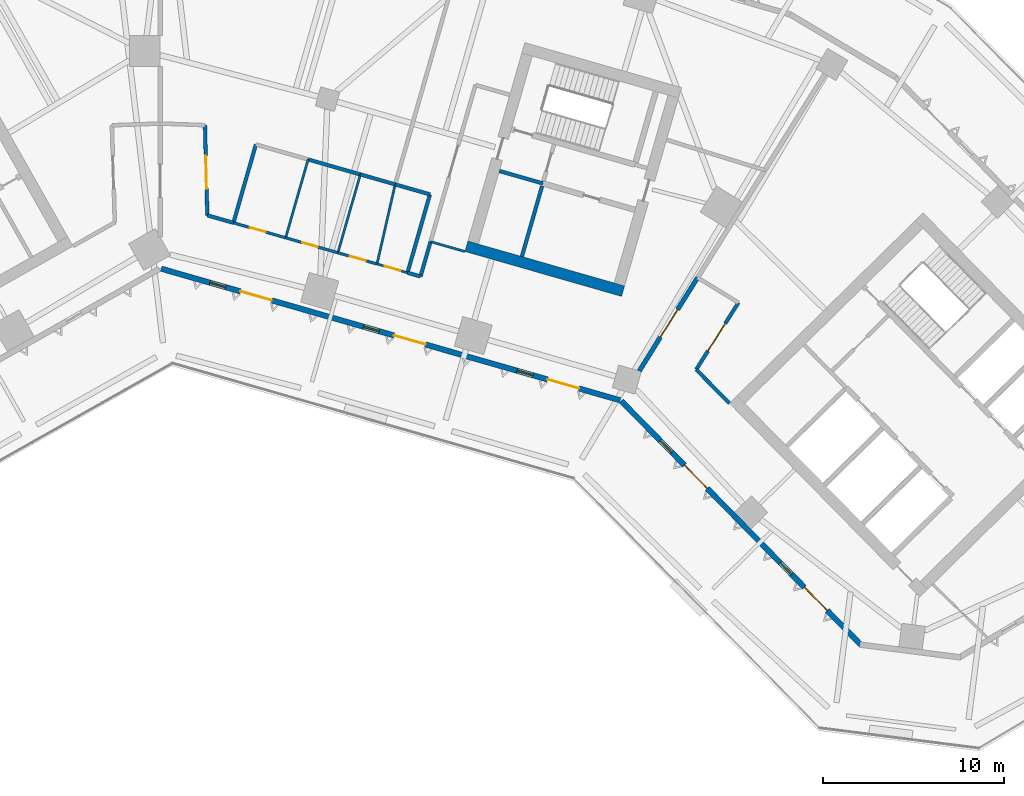
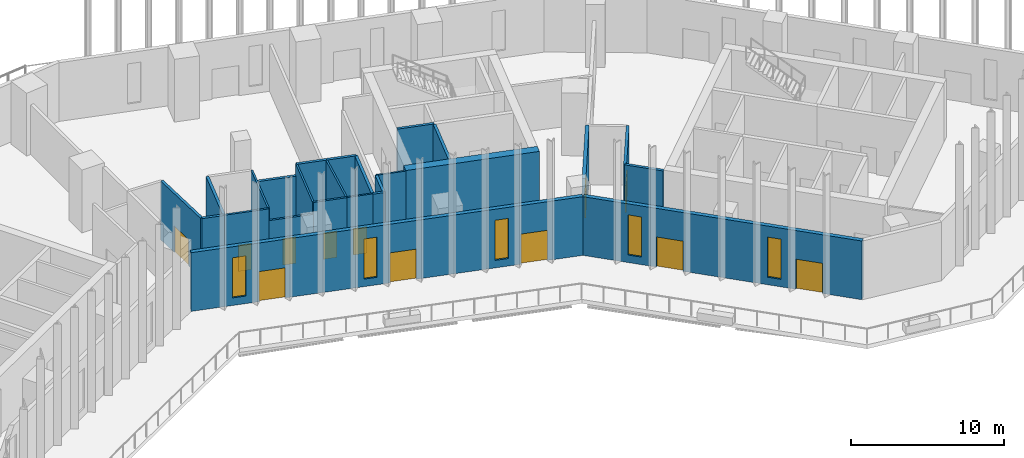
# One storey, part 8 of 17: 25 walls, 12 doors, 5 windows, 17 openings.
"""IFC4 building model written with IfcOpenShell, lengths in metres."""

import ifcopenshell
import ifcopenshell.guid

model = None  # the IFC model being written
_history = None  # IfcOwnerHistory: only IFC2X3 demands one
_inside = {}  # id of a spatial element -> (the spatial element, [elements in it])
_under = {}  # id of a project, library or spatial element -> (it, [spatial elements below it])
_declared = {}  # id of a project -> (the project, [libraries it declares])
_typed = {}  # id of a type object -> (the type object, [elements of that type])
_made_of = {}  # id of a material, layer set ... -> (it, [elements and type objects made of it])


def new_model(schema):
    """Start an empty IFC model of exactly this schema.

    Asked for "IFC4X3", IfcOpenShell would pick the latest addendum, in which some entities
    have other attributes; the version numbers below select the first issue.
    IFC2X3 requires an IfcOwnerHistory on every rooted entity: one is made here for all.
    """
    global model, _history
    if schema == "IFC4X3":
        model = ifcopenshell.file(schema_version=(4, 3, 0, 0))
    else:
        model = ifcopenshell.file(schema=schema)
    _inside.clear()
    _under.clear()
    _declared.clear()
    _typed.clear()
    _made_of.clear()
    _history = None
    if model.schema == "IFC2X3":
        org = make("IfcOrganization", Name="unknown")
        user = make(
            "IfcPersonAndOrganization",
            ThePerson=make("IfcPerson", FamilyName="unknown"),
            TheOrganization=org,
        )
        app = make(
            "IfcApplication",
            ApplicationDeveloper=org,
            Version="unknown",
            ApplicationFullName="unknown",
            ApplicationIdentifier="unknown",
        )
        _history = make(
            "IfcOwnerHistory",
            OwningUser=user,
            OwningApplication=app,
            ChangeAction="ADDED",
            CreationDate=0,
        )
    return model


def make(cls, **values):
    """One entity of the class cls with the attributes given. An attribute that is None is left unset."""
    return model.create_entity(
        cls, **{name: value for name, value in values.items() if value is not None}
    )


def rooted(cls, **values):
    """An entity with a GlobalId (a new one), such as an element, a storey or a relation."""
    return make(cls, GlobalId=ifcopenshell.guid.new(), OwnerHistory=_history, **values)


def si_unit(unit_type, name, prefix=None):
    """IfcSIUnit, for example si_unit("LENGTHUNIT", "METRE", prefix="MILLI")."""
    return make("IfcSIUnit", UnitType=unit_type, Prefix=prefix, Name=name)


def assignment(units):
    """IfcUnitAssignment: the units of a project."""
    return None if units is None else make("IfcUnitAssignment", Units=units)


def point(xyz):
    """IfcCartesianPoint."""
    return None if xyz is None else make("IfcCartesianPoint", Coordinates=xyz)


def direction(xyz):
    """IfcDirection."""
    return None if xyz is None else make("IfcDirection", DirectionRatios=xyz)


def frame(location, z_axis=None, x_axis=None):
    """IfcAxis2Placement3D, a coordinate frame: its origin and axes. An axis left out is left unset."""
    return make(
        "IfcAxis2Placement3D",
        Location=point(location),
        Axis=direction(z_axis),
        RefDirection=direction(x_axis),
    )


def frame_2d(location, x_axis=None):
    """IfcAxis2Placement2D, a coordinate frame in the plane: its origin and x axis."""
    return make(
        "IfcAxis2Placement2D", Location=point(location), RefDirection=direction(x_axis)
    )


def origin():
    """The frame at (0, 0, 0) with its axes left unset."""
    return frame((0.0, 0.0, 0.0))


def place(relative_to, where):
    """IfcLocalPlacement: puts the frame where relative to a parent placement (None: the world)."""
    return make(
        "IfcLocalPlacement", PlacementRelTo=relative_to, RelativePlacement=where
    )


def context(
    kind, dimensions, precision=None, world=None, true_north=None, identifier=None
):
    """IfcGeometricRepresentationContext, for example the 3D "Model" context."""
    return make(
        "IfcGeometricRepresentationContext",
        ContextIdentifier=identifier,
        ContextType=kind,
        CoordinateSpaceDimension=dimensions,
        Precision=precision,
        WorldCoordinateSystem=world,
        TrueNorth=true_north,
    )


def subcontext(parent, identifier, kind, view, scale=None):
    """IfcGeometricRepresentationSubContext, for example "Body" below "Model"."""
    return make(
        "IfcGeometricRepresentationSubContext",
        ContextIdentifier=identifier,
        ContextType=kind,
        ParentContext=parent,
        TargetScale=scale,
        TargetView=view,
    )


def project(units=None, contexts=None):
    """IfcProject with its units and contexts."""
    return rooted(
        "IfcProject",
        Name="project",
        RepresentationContexts=contexts,
        UnitsInContext=assignment(units),
    )


def spatial(cls, under=None, at=None, **own):
    """A site, building, storey or space (cls), placed at a placement, below another one or the project."""
    s = rooted(cls, ObjectPlacement=at, **own)
    if under is not None:
        _under.setdefault(under.id(), (under, []))[1].append(s)
    return s


def profile(cls, at=None, kind="AREA", **sizes):
    """A parametric profile (cls). Its sizes go by their IFC names, for example OverallWidth=200.0."""
    return make(cls, ProfileType=kind, Position=at, **sizes)


def rectangle(**sizes):
    """IfcRectangleProfileDef."""
    return profile("IfcRectangleProfileDef", **sizes)


def extrude(swept, where, along, depth):
    """IfcExtrudedAreaSolid: the profile swept, set in the frame where, extruded along a direction by depth."""
    return make(
        "IfcExtrudedAreaSolid",
        SweptArea=swept,
        Position=where,
        ExtrudedDirection=direction(along),
        Depth=depth,
    )


def shape(context_of_items, identifier, shape_type, items):
    """IfcShapeRepresentation: the items that make up one representation, for example the "Body"."""
    return make(
        "IfcShapeRepresentation",
        ContextOfItems=context_of_items,
        RepresentationIdentifier=identifier,
        RepresentationType=shape_type,
        Items=items,
    )


def material(Name=None, Category=None):
    """IfcMaterial."""
    return make("IfcMaterial", Name=Name, Category=Category)


def layer(
    of_material, thickness, ventilated=None, Name=None, Category=None, Priority=None
):
    """IfcMaterialLayer: one layer of a wall or slab, of a material (None: an air gap)."""
    return make(
        "IfcMaterialLayer",
        Material=of_material,
        LayerThickness=thickness,
        IsVentilated=ventilated,
        Name=Name,
        Category=Category,
        Priority=Priority,
    )


def layer_set(layers, Name=None):
    """IfcMaterialLayerSet."""
    return make("IfcMaterialLayerSet", MaterialLayers=layers, LayerSetName=Name)


def made_of(thing, what):
    """Note that an element or type object is made of a material, layer set ...; save() writes the relation."""
    if what is not None:
        _made_of.setdefault(what.id(), (what, []))[1].append(thing)
    return thing


def type_object(cls, material=None, **own):
    """A type object (cls), such as IfcWallType, which elements share."""
    return made_of(rooted(cls, **own), material)


def element(
    cls,
    number,
    at=None,
    inside=None,
    cuts=None,
    type_object=None,
    material=None,
    context=None,
    identifier="Body",
    shape_type=None,
    held_by="IfcProductDefinitionShape",
    body=None,
    shapes=None,
    **own,
):
    """One element of the class cls, such as IfcWall. Its Tag is "e" and its number.

    at: its placement. inside: the storey or other place that contains it. cuts: it is an
    opening in that element (IfcRelVoidsElement). A single representation is given by context,
    identifier, shape_type and body (its items); several are given by shapes. held_by: the class
    of the entity that holds the representations. save() writes the other relations.
    """
    e = rooted(cls, Tag="e%d" % number, ObjectPlacement=at, **own)
    if body is not None:
        shapes = [shape(context, identifier, shape_type, body)]
    if shapes is not None:
        e.Representation = make(held_by, Representations=shapes)
    if inside is not None:
        _inside.setdefault(inside.id(), (inside, []))[1].append(e)
    if cuts is not None:
        rooted(
            "IfcRelVoidsElement", RelatingBuildingElement=cuts, RelatedOpeningElement=e
        )
    if type_object is not None:
        _typed.setdefault(type_object.id(), (type_object, []))[1].append(e)
    return made_of(e, material)


def fill(opening, filler):
    """IfcRelFillsElement: the door or window that sits in an opening."""
    return rooted(
        "IfcRelFillsElement",
        RelatingOpeningElement=opening,
        RelatedBuildingElement=filler,
    )


def aggregate(whole, parts):
    """IfcRelAggregates: a whole, such as a stair, and the parts it consists of."""
    return rooted("IfcRelAggregates", RelatingObject=whole, RelatedObjects=parts)


def save(model, path):
    """Write the relations noted so far, then the file.

    IfcRelAggregates (storeys below a building ...), IfcRelContainedInSpatialStructure (elements
    in a storey), IfcRelDefinesByType, IfcRelAssociatesMaterial and IfcRelDeclares: one each for
    every whole, place, type object, material and project.
    """
    for whole, parts in _under.values():
        aggregate(whole, parts)
    for where, things in _inside.values():
        rooted(
            "IfcRelContainedInSpatialStructure",
            RelatedElements=things,
            RelatingStructure=where,
        )
    for kind, things in _typed.values():
        rooted("IfcRelDefinesByType", RelatedObjects=things, RelatingType=kind)
    for what, things in _made_of.values():
        rooted("IfcRelAssociatesMaterial", RelatedObjects=things, RelatingMaterial=what)
    for by, libraries in _declared.values():
        rooted("IfcRelDeclares", RelatingContext=by, RelatedDefinitions=libraries)
    model.write(path)


model = new_model("IFC4")

# Units and contexts
model_context = context("Model", 3, precision=1e-05, world=origin(), true_north=direction((0.0, 1.0)))
body_context = subcontext(model_context, "Body", "Model", "MODEL_VIEW")
ifc_project = project(units=[si_unit("LENGTHUNIT", "METRE"), si_unit("AREAUNIT", "SQUARE_METRE"), si_unit("VOLUMEUNIT", "CUBIC_METRE"), si_unit("PLANEANGLEUNIT", "RADIAN"), si_unit("MASSUNIT", "GRAM", prefix="KILO")], contexts=[model_context])

# Site, building, storey
site_placement = place(None, origin())
site = spatial("IfcSite", under=ifc_project, at=site_placement, CompositionType="ELEMENT")
building_placement = place(site_placement, origin())
building = spatial("IfcBuilding", under=site, at=building_placement, Name="Binnacle Exchange Tower", CompositionType="ELEMENT")
storey_placement = place(building_placement, frame((0.0, 0.0, 26.5)))
storey = spatial("IfcBuildingStorey", under=building, at=storey_placement, Name="L05", CompositionType="ELEMENT", Elevation=26.5)

# Wall
ifc_material_1 = material(Name="Concrete C70/85", Category="concrete")
ifc_layer_1 = layer(ifc_material_1, 0.60009765625)
ifc_layer_set_1 = layer_set([ifc_layer_1], Name="Core wall - outer 600")
wall_type_1 = type_object("IfcWallType", Name="Core wall - outer 600", PredefinedType="SOLIDWALL", material=ifc_layer_set_1)
wall_1_placement = place(storey_placement, frame((16.91064453125, 49.22119140625, 0.0), z_axis=(0.0, 0.0, 1.0), x_axis=(0.96126248289, -0.275634611374, 0.0)))
element("IfcWall", 1, at=wall_1_placement, inside=storey, type_object=wall_type_1, Name="Core wall CRWD1", PredefinedType="SOLIDWALL", context=body_context, shape_type="SweptSolid", body=[
    extrude(rectangle(XDim=9.0, YDim=0.60009765625, at=frame_2d((4.5, 0.0))), origin(), (0.0, 0.0, 1.0), 4.679931640625),
])

# Wall, openings, doors, windows
ifc_material_2 = material(Name="Bronze aluminium cladding", Category="aluminium")
ifc_layer_2 = layer(ifc_material_2, 0.300048828125)
ifc_layer_set_2 = layer_set([ifc_layer_2], Name="External wall - spandrel 300")
wall_type_2 = type_object("IfcWallType", Name="External wall - spandrel 300", PredefinedType="STANDARD", material=ifc_layer_set_2)
wall_2_placement = place(storey_placement, frame((25.398193359375, 40.71728515625, 0.0), z_axis=(0.0, 0.0, 1.0), x_axis=(-0.961262423262, 0.275634819324, 0.0)))
wall_2 = element("IfcWall", 2, at=wall_2_placement, inside=storey, type_object=wall_type_2, Name="External wall EW-F08 L05", PredefinedType="STANDARD", context=body_context, shape_type="SweptSolid", body=[
    extrude(rectangle(XDim=26.358642578125, YDim=0.300048828125, at=frame_2d((13.17919921875, 0.0))), origin(), (0.0, 0.0, 1.0), 4.679931640625),
])
opening_1_placement = place(wall_2_placement, frame((22.6640625, 0.0, 0.60009765625)))
opening_1 = element("IfcOpeningElement", 3, at=opening_1_placement, cuts=wall_2, Name="Opening WS1", PredefinedType="OPENING", context=body_context, shape_type="SweptSolid", body=[
    extrude(rectangle(XDim=0.89990234375, YDim=3.199951171875, at=frame_2d((0.449951171875, 1.60009765625))), frame((0.0, 0.159912109375, 0.0), z_axis=(0.0, -1.0, 0.0), x_axis=(1.0, 0.0, 0.0)), (0.0, 0.0, 1.0), 0.320068359375),
])
opening_2_placement = place(wall_2_placement, frame((20.0087890625, 0.0, 0.0)))
opening_2 = element("IfcOpeningElement", 4, at=opening_2_placement, cuts=wall_2, Name="Opening D-FS05-09", PredefinedType="OPENING", context=body_context, shape_type="SweptSolid", body=[
    extrude(rectangle(XDim=1.800048828125, YDim=2.39990234375, at=frame_2d((0.89990234375, 1.199951171875))), frame((0.0, 0.159912109375, 0.0), z_axis=(0.0, -1.0, 0.0), x_axis=(1.0, 0.0, 0.0)), (0.0, 0.0, 1.0), 0.320068359375),
])
opening_3_placement = place(wall_2_placement, frame((13.843505859375, 0.0, 0.60009765625)))
opening_3 = element("IfcOpeningElement", 5, at=opening_3_placement, cuts=wall_2, Name="Opening WS1", PredefinedType="OPENING", context=body_context, shape_type="SweptSolid", body=[
    extrude(rectangle(XDim=0.89990234375, YDim=3.199951171875, at=frame_2d((0.449951171875, 1.60009765625))), frame((0.0, 0.159912109375, 0.0), z_axis=(0.0, -1.0, 0.0), x_axis=(1.0, 0.0, 0.0)), (0.0, 0.0, 1.0), 0.320068359375),
])
opening_4_placement = place(wall_2_placement, frame((11.1884765625, 0.0, 0.0)))
opening_4 = element("IfcOpeningElement", 6, at=opening_4_placement, cuts=wall_2, Name="Opening D-FS05-10", PredefinedType="OPENING", context=body_context, shape_type="SweptSolid", body=[
    extrude(rectangle(XDim=1.800048828125, YDim=2.39990234375, at=frame_2d((0.89990234375, 1.199951171875))), frame((0.0, 0.159912109375, 0.0), z_axis=(0.0, -1.0, 0.0), x_axis=(1.0, 0.0, 0.0)), (0.0, 0.0, 1.0), 0.320068359375),
])
opening_5_placement = place(wall_2_placement, frame((5.023193359375, 0.0, 0.60009765625)))
opening_5 = element("IfcOpeningElement", 7, at=opening_5_placement, cuts=wall_2, Name="Opening WS1", PredefinedType="OPENING", context=body_context, shape_type="SweptSolid", body=[
    extrude(rectangle(XDim=0.89990234375, YDim=3.199951171875, at=frame_2d((0.449951171875, 1.60009765625))), frame((0.0, 0.159912109375, 0.0), z_axis=(0.0, -1.0, 0.0), x_axis=(1.0, 0.0, 0.0)), (0.0, 0.0, 1.0), 0.320068359375),
])
opening_6_placement = place(wall_2_placement, frame((2.3681640625, 0.0, 0.0)))
opening_6 = element("IfcOpeningElement", 8, at=opening_6_placement, cuts=wall_2, Name="Opening D-FS05-11", PredefinedType="OPENING", context=body_context, shape_type="SweptSolid", body=[
    extrude(rectangle(XDim=1.800048828125, YDim=2.39990234375, at=frame_2d((0.89990234375, 1.199951171875))), frame((0.0, 0.159912109375, 0.0), z_axis=(0.0, -1.0, 0.0), x_axis=(1.0, 0.0, 0.0)), (0.0, 0.0, 1.0), 0.320068359375),
])
ifc_material_3 = material(Name="Bronze anodised aluminium frame", Category="aluminium")
door_type_1 = type_object("IfcDoorType", Name="DT DOOR 1800x2400", OperationType="DOUBLE_DOOR_SINGLE_SWING", PredefinedType="DOOR", material=ifc_material_3)
door_1_placement = place(opening_2_placement, origin())
door_1 = element("IfcDoor", 9, at=door_1_placement, inside=storey, type_object=door_type_1, Name="Door D-FS05-09 L05", OperationType="DOUBLE_DOOR_SINGLE_SWING", OverallHeight=2.39990234375, OverallWidth=1.800048828125, PredefinedType="DOOR", context=body_context, shape_type="SweptSolid", body=[
    extrude(rectangle(XDim=1.800048828125, YDim=2.39990234375, at=frame_2d((0.89990234375, 1.199951171875))), frame((0.0, 0.02490234375, 0.0), z_axis=(0.0, -1.0, 0.0), x_axis=(1.0, 0.0, 0.0)), (0.0, 0.0, 1.0), 0.050048828125),
])
fill(opening_2, door_1)
door_2_placement = place(opening_4_placement, origin())
door_2 = element("IfcDoor", 10, at=door_2_placement, inside=storey, type_object=door_type_1, Name="Door D-FS05-10 L05", OperationType="DOUBLE_DOOR_SINGLE_SWING", OverallHeight=2.39990234375, OverallWidth=1.800048828125, PredefinedType="DOOR", context=body_context, shape_type="SweptSolid", body=[
    extrude(rectangle(XDim=1.800048828125, YDim=2.39990234375, at=frame_2d((0.89990234375, 1.199951171875))), frame((0.0, 0.02490234375, 0.0), z_axis=(0.0, -1.0, 0.0), x_axis=(1.0, 0.0, 0.0)), (0.0, 0.0, 1.0), 0.050048828125),
])
fill(opening_4, door_2)
door_3_placement = place(opening_6_placement, origin())
door_3 = element("IfcDoor", 11, at=door_3_placement, inside=storey, type_object=door_type_1, Name="Door D-FS05-11 L05", OperationType="DOUBLE_DOOR_SINGLE_SWING", OverallHeight=2.39990234375, OverallWidth=1.800048828125, PredefinedType="DOOR", context=body_context, shape_type="SweptSolid", body=[
    extrude(rectangle(XDim=1.800048828125, YDim=2.39990234375, at=frame_2d((0.89990234375, 1.199951171875))), frame((0.0, 0.02490234375, 0.0), z_axis=(0.0, -1.0, 0.0), x_axis=(1.0, 0.0, 0.0)), (0.0, 0.0, 1.0), 0.050048828125),
])
fill(opening_6, door_3)
window_type = type_object("IfcWindowType", Name="WS1 WINDOW 900x3200", PartitioningType="SINGLE_PANEL", PredefinedType="WINDOW", material=ifc_material_3)
window_1_placement = place(opening_1_placement, origin())
window_1 = element("IfcWindow", 12, at=window_1_placement, inside=storey, type_object=window_type, Name="Window WS1 L05", OverallHeight=3.199951171875, OverallWidth=0.89990234375, PartitioningType="SINGLE_PANEL", PredefinedType="WINDOW", context=body_context, shape_type="SweptSolid", body=[
    extrude(rectangle(XDim=0.89990234375, YDim=3.199951171875, at=frame_2d((0.449951171875, 1.60009765625))), frame((0.0, 0.030029296875, 0.0), z_axis=(0.0, -1.0, 0.0), x_axis=(1.0, 0.0, 0.0)), (0.0, 0.0, 1.0), 0.06005859375),
])
fill(opening_1, window_1)
window_2_placement = place(opening_3_placement, origin())
window_2 = element("IfcWindow", 13, at=window_2_placement, inside=storey, type_object=window_type, Name="Window WS1 L05", OverallHeight=3.199951171875, OverallWidth=0.89990234375, PartitioningType="SINGLE_PANEL", PredefinedType="WINDOW", context=body_context, shape_type="SweptSolid", body=[
    extrude(rectangle(XDim=0.89990234375, YDim=3.199951171875, at=frame_2d((0.449951171875, 1.60009765625))), frame((0.0, 0.030029296875, 0.0), z_axis=(0.0, -1.0, 0.0), x_axis=(1.0, 0.0, 0.0)), (0.0, 0.0, 1.0), 0.06005859375),
])
fill(opening_3, window_2)
window_3_placement = place(opening_5_placement, origin())
window_3 = element("IfcWindow", 14, at=window_3_placement, inside=storey, type_object=window_type, Name="Window WS1 L05", OverallHeight=3.199951171875, OverallWidth=0.89990234375, PartitioningType="SINGLE_PANEL", PredefinedType="WINDOW", context=body_context, shape_type="SweptSolid", body=[
    extrude(rectangle(XDim=0.89990234375, YDim=3.199951171875, at=frame_2d((0.449951171875, 1.60009765625))), frame((0.0, 0.030029296875, 0.0), z_axis=(0.0, -1.0, 0.0), x_axis=(1.0, 0.0, 0.0)), (0.0, 0.0, 1.0), 0.06005859375),
])
fill(opening_5, window_3)

wall_3_placement = place(storey_placement, frame((38.727294921875, 27.18115234375, 0.0), z_axis=(0.0, 0.0, 1.0), x_axis=(-0.700906405975, 0.713253258011, 0.0)))
wall_3 = element("IfcWall", 15, at=wall_3_placement, inside=storey, type_object=wall_type_2, Name="External wall EW-F09 L05", PredefinedType="STANDARD", context=body_context, shape_type="SweptSolid", body=[
    extrude(rectangle(XDim=18.92333984375, YDim=0.300048828125, at=frame_2d((9.461669921875, 0.0))), origin(), (0.0, 0.0, 1.0), 4.679931640625),
])
opening_7_placement = place(wall_3_placement, frame((14.967041015625, 0.0, 0.60009765625)))
opening_7 = element("IfcOpeningElement", 16, at=opening_7_placement, cuts=wall_3, Name="Opening WS1", PredefinedType="OPENING", context=body_context, shape_type="SweptSolid", body=[
    extrude(rectangle(XDim=0.89990234375, YDim=3.199951171875, at=frame_2d((0.449951171875, 1.60009765625))), frame((0.0, 0.159912109375, 0.0), z_axis=(0.0, -1.0, 0.0), x_axis=(1.0, 0.0, 0.0)), (0.0, 0.0, 1.0), 0.320068359375),
])
opening_8_placement = place(wall_3_placement, frame((12.1533203125, 0.0, 0.0)))
opening_8 = element("IfcOpeningElement", 17, at=opening_8_placement, cuts=wall_3, Name="Opening D-FS05-12", PredefinedType="OPENING", context=body_context, shape_type="SweptSolid", body=[
    extrude(rectangle(XDim=1.800048828125, YDim=2.39990234375, at=frame_2d((0.89990234375, 1.199951171875))), frame((0.0, 0.159912109375, 0.0), z_axis=(0.0, -1.0, 0.0), x_axis=(1.0, 0.0, 0.0)), (0.0, 0.0, 1.0), 0.320068359375),
])
opening_9_placement = place(wall_3_placement, frame((5.51171875, 0.0, 0.60009765625)))
opening_9 = element("IfcOpeningElement", 18, at=opening_9_placement, cuts=wall_3, Name="Opening WS1", PredefinedType="OPENING", context=body_context, shape_type="SweptSolid", body=[
    extrude(rectangle(XDim=0.89990234375, YDim=3.199951171875, at=frame_2d((0.449951171875, 1.60009765625))), frame((0.0, 0.159912109375, 0.0), z_axis=(0.0, -1.0, 0.0), x_axis=(1.0, 0.0, 0.0)), (0.0, 0.0, 1.0), 0.320068359375),
])
opening_10_placement = place(wall_3_placement, frame((2.69775390625, 0.0, 0.0)))
opening_10 = element("IfcOpeningElement", 19, at=opening_10_placement, cuts=wall_3, Name="Opening D-FS05-13", PredefinedType="OPENING", context=body_context, shape_type="SweptSolid", body=[
    extrude(rectangle(XDim=1.800048828125, YDim=2.39990234375, at=frame_2d((0.89990234375, 1.199951171875))), frame((0.0, 0.159912109375, 0.0), z_axis=(0.0, -1.0, 0.0), x_axis=(1.0, 0.0, 0.0)), (0.0, 0.0, 1.0), 0.320068359375),
])
door_4_placement = place(opening_8_placement, origin())
door_4 = element("IfcDoor", 20, at=door_4_placement, inside=storey, type_object=door_type_1, Name="Door D-FS05-12 L05", OperationType="DOUBLE_DOOR_SINGLE_SWING", OverallHeight=2.39990234375, OverallWidth=1.800048828125, PredefinedType="DOOR", context=body_context, shape_type="SweptSolid", body=[
    extrude(rectangle(XDim=1.800048828125, YDim=2.39990234375, at=frame_2d((0.89990234375, 1.199951171875))), frame((0.0, 0.02490234375, 0.0), z_axis=(0.0, -1.0, 0.0), x_axis=(1.0, 0.0, 0.0)), (0.0, 0.0, 1.0), 0.050048828125),
])
fill(opening_8, door_4)
door_5_placement = place(opening_10_placement, origin())
door_5 = element("IfcDoor", 21, at=door_5_placement, inside=storey, type_object=door_type_1, Name="Door D-FS05-13 L05", OperationType="DOUBLE_DOOR_SINGLE_SWING", OverallHeight=2.39990234375, OverallWidth=1.800048828125, PredefinedType="DOOR", context=body_context, shape_type="SweptSolid", body=[
    extrude(rectangle(XDim=1.800048828125, YDim=2.39990234375, at=frame_2d((0.89990234375, 1.199951171875))), frame((0.0, 0.02490234375, 0.0), z_axis=(0.0, -1.0, 0.0), x_axis=(1.0, 0.0, 0.0)), (0.0, 0.0, 1.0), 0.050048828125),
])
fill(opening_10, door_5)
window_4_placement = place(opening_7_placement, origin())
window_4 = element("IfcWindow", 22, at=window_4_placement, inside=storey, type_object=window_type, Name="Window WS1 L05", OverallHeight=3.199951171875, OverallWidth=0.89990234375, PartitioningType="SINGLE_PANEL", PredefinedType="WINDOW", context=body_context, shape_type="SweptSolid", body=[
    extrude(rectangle(XDim=0.89990234375, YDim=3.199951171875, at=frame_2d((0.449951171875, 1.60009765625))), frame((0.0, 0.030029296875, 0.0), z_axis=(0.0, -1.0, 0.0), x_axis=(1.0, 0.0, 0.0)), (0.0, 0.0, 1.0), 0.06005859375),
])
fill(opening_7, window_4)
window_5_placement = place(opening_9_placement, origin())
window_5 = element("IfcWindow", 23, at=window_5_placement, inside=storey, type_object=window_type, Name="Window WS1 L05", OverallHeight=3.199951171875, OverallWidth=0.89990234375, PartitioningType="SINGLE_PANEL", PredefinedType="WINDOW", context=body_context, shape_type="SweptSolid", body=[
    extrude(rectangle(XDim=0.89990234375, YDim=3.199951171875, at=frame_2d((0.449951171875, 1.60009765625))), frame((0.0, 0.030029296875, 0.0), z_axis=(0.0, -1.0, 0.0), x_axis=(1.0, 0.0, 0.0)), (0.0, 0.0, 1.0), 0.06005859375),
])
fill(opening_9, window_5)

# Wall, opening, door
ifc_material_4 = material(Name="Masonry block wall", Category="masonry")
ifc_layer_3 = layer(ifc_material_4, 0.199951171875)
ifc_layer_set_3 = layer_set([ifc_layer_3], Name="Fire wall - block 200")
wall_type_3 = type_object("IfcWallType", Name="Fire wall - block 200", PredefinedType="PARTITIONING", material=ifc_layer_set_3)
wall_4_placement = place(storey_placement, frame((2.468994140625, 55.910888671875, 0.0), z_axis=(0.0, 0.0, 1.0), x_axis=(0.02651808123, -0.999648333849, 0.0)))
wall_4 = element("IfcWall", 24, at=wall_4_placement, inside=storey, type_object=wall_type_3, Name="Partition W13", PredefinedType="PARTITIONING", context=body_context, shape_type="SweptSolid", body=[
    extrude(rectangle(XDim=4.980712890625, YDim=0.199951171875, at=frame_2d((2.490234375, 0.0))), origin(), (0.0, 0.0, 1.0), 4.679931640625),
])
opening_11_placement = place(wall_4_placement, frame((1.699951171875, 0.0, 0.0)))
opening_11 = element("IfcOpeningElement", 25, at=opening_11_placement, cuts=wall_4, Name="Opening DL05-08", PredefinedType="OPENING", context=body_context, shape_type="SweptSolid", body=[
    extrude(rectangle(XDim=1.800048828125, YDim=2.10009765625, at=frame_2d((0.89990234375, 1.050048828125))), frame((0.0, 0.10986328125, 0.0), z_axis=(0.0, -1.0, 0.0), x_axis=(1.0, 0.0, 0.0)), (0.0, 0.0, 1.0), 0.219970703125),
])
ifc_material_5 = material(Name="Steel door leaf", Category="steel")
door_type_2 = type_object("IfcDoorType", Name="Fire door 1800", OperationType="NOTDEFINED", PredefinedType="DOOR", material=ifc_material_5)
door_6_placement = place(opening_11_placement, origin())
door_6 = element("IfcDoor", 26, at=door_6_placement, inside=storey, type_object=door_type_2, Name="Door DL05-08", OperationType="DOUBLE_DOOR_SINGLE_SWING", OverallHeight=2.10009765625, OverallWidth=1.800048828125, PredefinedType="DOOR", context=body_context, shape_type="SweptSolid", body=[
    extrude(rectangle(XDim=1.800048828125, YDim=2.10009765625, at=frame_2d((0.89990234375, 1.050048828125))), frame((0.0, 0.02490234375, 0.0), z_axis=(0.0, -1.0, 0.0), x_axis=(1.0, 0.0, 0.0)), (0.0, 0.0, 1.0), 0.050048828125),
])
fill(opening_11, door_6)

# Walls
wall_5_placement = place(storey_placement, frame((2.60107421875, 50.931884765625, 0.0), z_axis=(0.0, 0.0, 1.0), x_axis=(0.961197773994, -0.27586018065, 0.0)))
element("IfcWall", 27, at=wall_5_placement, inside=storey, type_object=wall_type_3, Name="Partition W14", PredefinedType="PARTITIONING", context=body_context, shape_type="SweptSolid", body=[
    extrude(rectangle(XDim=1.5, YDim=0.199951171875, at=frame_2d((0.75, 0.0))), origin(), (0.0, 0.0, 1.0), 4.679931640625),
])
wall_6_placement = place(storey_placement, frame((4.04296875, 50.51806640625, 0.0), z_axis=(0.0, 0.0, 1.0), x_axis=(0.275745553681, 0.96123066411, 0.0)))
element("IfcWall", 28, at=wall_6_placement, inside=storey, type_object=wall_type_3, Name="Partition W15", PredefinedType="PARTITIONING", context=body_context, shape_type="SweptSolid", body=[
    extrude(rectangle(XDim=4.50048828125, YDim=0.199951171875, at=frame_2d((2.250244140625, 0.0))), origin(), (0.0, 0.0, 1.0), 4.679931640625),
])
wall_7_placement = place(storey_placement, frame((8.1669921875, 54.01708984375, 0.0), z_axis=(0.0, 0.0, 1.0), x_axis=(0.961247103494, -0.275688240636, 0.0)))
element("IfcWall", 29, at=wall_7_placement, inside=storey, type_object=wall_type_3, Name="Partition W20", PredefinedType="PARTITIONING", context=body_context, shape_type="SweptSolid", body=[
    extrude(rectangle(XDim=3.000244140625, YDim=0.199951171875, at=frame_2d((1.5, 0.0))), origin(), (0.0, 0.0, 1.0), 3.741943359375),
])
wall_8_placement = place(storey_placement, frame((11.051025390625, 53.18994140625, 0.0), z_axis=(0.0, 0.0, 1.0), x_axis=(0.961316434736, -0.275446387355, 0.0)))
element("IfcWall", 30, at=wall_8_placement, inside=storey, type_object=wall_type_3, Name="Partition W23", PredefinedType="PARTITIONING", context=body_context, shape_type="SweptSolid", body=[
    extrude(rectangle(XDim=2.00048828125, YDim=0.199951171875, at=frame_2d((1.000244140625, 0.0))), origin(), (0.0, 0.0, 1.0), 4.679931640625),
])
wall_9_placement = place(storey_placement, frame((12.97412109375, 52.638916015625, 0.0), z_axis=(0.0, 0.0, 1.0), x_axis=(0.961270097305, -0.275608055084, 0.0)))
element("IfcWall", 31, at=wall_9_placement, inside=storey, type_object=wall_type_3, Name="Partition W26", PredefinedType="PARTITIONING", context=body_context, shape_type="SweptSolid", body=[
    extrude(rectangle(XDim=1.999267578125, YDim=0.199951171875, at=frame_2d((0.99951171875, 0.0))), origin(), (0.0, 0.0, 1.0), 4.679931640625),
])
wall_10_placement = place(storey_placement, frame((13.656005859375, 47.761962890625, 0.0), z_axis=(0.0, 0.0, 1.0), x_axis=(0.961154610169, -0.276010534854, 0.0)))
element("IfcWall", 32, at=wall_10_placement, inside=storey, type_object=wall_type_3, Name="Partition W28", PredefinedType="PARTITIONING", context=body_context, shape_type="SweptSolid", body=[
    extrude(rectangle(XDim=0.75, YDim=0.199951171875, at=frame_2d((0.375, 0.0))), origin(), (0.0, 0.0, 1.0), 4.679931640625),
])
wall_11_placement = place(storey_placement, frame((13.656005859375, 47.761962890625, 0.0), z_axis=(0.0, 0.0, 1.0), x_axis=(0.275545040649, 0.96128816209, 0.0)))
element("IfcWall", 33, at=wall_11_placement, inside=storey, type_object=wall_type_3, Name="Partition W29", PredefinedType="PARTITIONING", context=body_context, shape_type="SweptSolid", body=[
    extrude(rectangle(XDim=4.500244140625, YDim=0.199951171875, at=frame_2d((2.25, 0.0))), origin(), (0.0, 0.0, 1.0), 4.679931640625),
])
wall_12_placement = place(storey_placement, frame((14.376953125, 47.554931640625, 0.0), z_axis=(0.0, 0.0, 1.0), x_axis=(0.275446387355, 0.961316434736, 0.0)))
element("IfcWall", 34, at=wall_12_placement, inside=storey, type_object=wall_type_3, Name="Partition W30", PredefinedType="PARTITIONING", context=body_context, shape_type="SweptSolid", body=[
    extrude(rectangle(XDim=2.00048828125, YDim=0.199951171875, at=frame_2d((1.000244140625, 0.0))), origin(), (0.0, 0.0, 1.0), 4.679931640625),
])
wall_13_placement = place(storey_placement, frame((29.60009765625, 42.416015625, 0.0), z_axis=(0.0, 0.0, 1.0), x_axis=(0.700914320664, -0.713245480244, 0.0)))
element("IfcWall", 35, at=wall_13_placement, inside=storey, type_object=wall_type_3, Name="Partition W36", PredefinedType="PARTITIONING", context=body_context, shape_type="SweptSolid", body=[
    extrude(rectangle(XDim=2.613525390625, YDim=0.199951171875, at=frame_2d((1.306640625, 0.0))), origin(), (0.0, 0.0, 1.0), 4.679931640625),
])

# Wall, opening, door
wall_14_placement = place(storey_placement, frame((29.60009765625, 42.416015625, 0.0), z_axis=(0.0, 0.0, 1.0), x_axis=(0.533582711531, 0.84574788794, 0.0)))
wall_14 = element("IfcWall", 36, at=wall_14_placement, inside=storey, type_object=wall_type_3, Name="Partition W37", PredefinedType="PARTITIONING", context=body_context, shape_type="SweptSolid", body=[
    extrude(rectangle(XDim=4.366455078125, YDim=0.199951171875, at=frame_2d((2.18310546875, 0.0))), origin(), (0.0, 0.0, 1.0), 4.679931640625),
])
opening_12_placement = place(wall_14_placement, frame((1.199951171875, 0.0, 0.0)))
opening_12 = element("IfcOpeningElement", 37, at=opening_12_placement, cuts=wall_14, Name="Opening DL05-10", PredefinedType="OPENING", context=body_context, shape_type="SweptSolid", body=[
    extrude(rectangle(XDim=1.800048828125, YDim=2.10009765625, at=frame_2d((0.89990234375, 1.050048828125))), frame((0.0, 0.10986328125, 0.0), z_axis=(0.0, -1.0, 0.0), x_axis=(1.0, 0.0, 0.0)), (0.0, 0.0, 1.0), 0.219970703125),
])
door_7_placement = place(opening_12_placement, frame((1.800048828125, 0.0, 0.0), z_axis=(0.0, 0.0, 1.0), x_axis=(-1.0, 0.0, 0.0)))
door_7 = element("IfcDoor", 38, at=door_7_placement, inside=storey, type_object=door_type_2, Name="Door DL05-10", OperationType="DOUBLE_DOOR_SINGLE_SWING", OverallHeight=2.10009765625, OverallWidth=1.800048828125, PredefinedType="DOOR", context=body_context, shape_type="SweptSolid", body=[
    extrude(rectangle(XDim=1.800048828125, YDim=2.10009765625, at=frame_2d((0.89990234375, 1.050048828125))), frame((0.0, 0.02490234375, 0.0), z_axis=(0.0, -1.0, 0.0), x_axis=(1.0, 0.0, 0.0)), (0.0, 0.0, 1.0), 0.050048828125),
])
fill(opening_12, door_7)

ifc_material_6 = material(Name="Concrete fire wall C30/37", Category="concrete")
ifc_layer_4 = layer(ifc_material_6, 0.25)
ifc_layer_set_4 = layer_set([ifc_layer_4], Name="Fire wall - compartment 250")
wall_type_4 = type_object("IfcWallType", Name="Fire wall - compartment 250", PredefinedType="PARTITIONING", material=ifc_layer_set_4)
wall_15_placement = place(storey_placement, frame((26.4560546875, 42.337890625, 0.0), z_axis=(0.0, 0.0, 1.0), x_axis=(0.52980027265, 0.848122438743, 0.0)))
wall_15 = element("IfcWall", 39, at=wall_15_placement, inside=storey, type_object=wall_type_4, Name="Fire Wall W34", PredefinedType="PARTITIONING", context=body_context, shape_type="SweptSolid", body=[
    extrude(rectangle(XDim=6.075927734375, YDim=0.25, at=frame_2d((3.0380859375, 0.0))), origin(), (0.0, 0.0, 1.0), 4.679931640625),
])
opening_13_placement = place(wall_15_placement, frame((2.199951171875, 0.0, 0.0)))
opening_13 = element("IfcOpeningElement", 40, at=opening_13_placement, cuts=wall_15, Name="Opening DL05-13", PredefinedType="OPENING", context=body_context, shape_type="SweptSolid", body=[
    extrude(rectangle(XDim=1.800048828125, YDim=2.10009765625, at=frame_2d((0.89990234375, 1.050048828125))), frame((0.0, 0.135009765625, 0.0), z_axis=(0.0, -1.0, 0.0), x_axis=(1.0, 0.0, 0.0)), (0.0, 0.0, 1.0), 0.27001953125),
])
door_8_placement = place(opening_13_placement, origin())
door_8 = element("IfcDoor", 41, at=door_8_placement, inside=storey, type_object=door_type_2, Name="Door DL05-13", OperationType="DOUBLE_DOOR_SINGLE_SWING", OverallHeight=2.10009765625, OverallWidth=1.800048828125, PredefinedType="DOOR", context=body_context, shape_type="SweptSolid", body=[
    extrude(rectangle(XDim=1.800048828125, YDim=2.10009765625, at=frame_2d((0.89990234375, 1.050048828125))), frame((0.0, 0.02490234375, 0.0), z_axis=(0.0, -1.0, 0.0), x_axis=(1.0, 0.0, 0.0)), (0.0, 0.0, 1.0), 0.050048828125),
])
fill(opening_13, door_8)

ifc_material_7 = material(Name="Gypsum partition fire rated")
ifc_layer_5 = layer(ifc_material_7, 0.14990234375)
ifc_layer_set_5 = layer_set([ifc_layer_5], Name="Fire-rated partition 150")
wall_type_5 = type_object("IfcWallType", Name="Fire-rated partition 150", PredefinedType="PARTITIONING", material=ifc_layer_set_5)
wall_16_placement = place(storey_placement, frame((4.04296875, 50.51806640625, 0.0), z_axis=(0.0, 0.0, 1.0), x_axis=(0.961247103494, -0.275688240636, 0.0)))
wall_16 = element("IfcWall", 42, at=wall_16_placement, inside=storey, type_object=wall_type_5, Name="Partition W16", PredefinedType="PARTITIONING", context=body_context, shape_type="SweptSolid", body=[
    extrude(rectangle(XDim=3.000244140625, YDim=0.14990234375, at=frame_2d((1.5, 0.0))), origin(), (0.0, 0.0, 1.0), 4.679931640625),
])
opening_14_placement = place(wall_16_placement, frame((0.949951171875, 0.0, 0.0)))
opening_14 = element("IfcOpeningElement", 43, at=opening_14_placement, cuts=wall_16, Name="Opening DL05-04", PredefinedType="OPENING", context=body_context, shape_type="SweptSolid", body=[
    extrude(rectangle(XDim=0.89990234375, YDim=2.10009765625, at=frame_2d((0.449951171875, 1.050048828125))), frame((0.0, 0.0849609375, 0.0), z_axis=(0.0, -1.0, 0.0), x_axis=(1.0, 0.0, 0.0)), (0.0, 0.0, 1.0), 0.169921875),
])
door_type_3 = type_object("IfcDoorType", Name="Fire door 900", OperationType="NOTDEFINED", PredefinedType="DOOR", material=ifc_material_5)
door_9_placement = place(opening_14_placement, origin())
door_9 = element("IfcDoor", 44, at=door_9_placement, inside=storey, type_object=door_type_3, Name="Door DL05-04", OperationType="SINGLE_SWING_LEFT", OverallHeight=2.10009765625, OverallWidth=0.89990234375, PredefinedType="DOOR", context=body_context, shape_type="SweptSolid", body=[
    extrude(rectangle(XDim=0.89990234375, YDim=2.10009765625, at=frame_2d((0.449951171875, 1.050048828125))), frame((0.0, 0.02490234375, 0.0), z_axis=(0.0, -1.0, 0.0), x_axis=(1.0, 0.0, 0.0)), (0.0, 0.0, 1.0), 0.050048828125),
])
fill(opening_14, door_9)

wall_17_placement = place(storey_placement, frame((6.927001953125, 49.69091796875, 0.0), z_axis=(0.0, 0.0, 1.0), x_axis=(0.961268664977, -0.27561305073, 0.0)))
wall_17 = element("IfcWall", 45, at=wall_17_placement, inside=storey, type_object=wall_type_5, Name="Partition W19", PredefinedType="PARTITIONING", context=body_context, shape_type="SweptSolid", body=[
    extrude(rectangle(XDim=3.000244140625, YDim=0.14990234375, at=frame_2d((1.5, 0.0))), origin(), (0.0, 0.0, 1.0), 3.741943359375),
])
opening_15_placement = place(wall_17_placement, frame((0.949951171875, 0.0, 0.0)))
opening_15 = element("IfcOpeningElement", 46, at=opening_15_placement, cuts=wall_17, Name="Opening DL05-05", PredefinedType="OPENING", context=body_context, shape_type="SweptSolid", body=[
    extrude(rectangle(XDim=0.89990234375, YDim=2.10009765625, at=frame_2d((0.449951171875, 1.050048828125))), frame((0.0, 0.0849609375, 0.0), z_axis=(0.0, -1.0, 0.0), x_axis=(1.0, 0.0, 0.0)), (0.0, 0.0, 1.0), 0.169921875),
])
door_10_placement = place(opening_15_placement, origin())
door_10 = element("IfcDoor", 47, at=door_10_placement, inside=storey, type_object=door_type_3, Name="Door DL05-05", OperationType="SINGLE_SWING_LEFT", OverallHeight=2.10009765625, OverallWidth=0.89990234375, PredefinedType="DOOR", context=body_context, shape_type="SweptSolid", body=[
    extrude(rectangle(XDim=0.89990234375, YDim=2.10009765625, at=frame_2d((0.449951171875, 1.050048828125))), frame((0.0, 0.02490234375, 0.0), z_axis=(0.0, -1.0, 0.0), x_axis=(1.0, 0.0, 0.0)), (0.0, 0.0, 1.0), 0.050048828125),
])
fill(opening_15, door_10)

wall_18_placement = place(storey_placement, frame((9.81103515625, 48.864013671875, 0.0), z_axis=(0.0, 0.0, 1.0), x_axis=(0.961236680145, -0.275724581318, 0.0)))
wall_18 = element("IfcWall", 48, at=wall_18_placement, inside=storey, type_object=wall_type_5, Name="Partition W22", PredefinedType="PARTITIONING", context=body_context, shape_type="SweptSolid", body=[
    extrude(rectangle(XDim=2.2490234375, YDim=0.14990234375, at=frame_2d((1.12451171875, 0.0))), origin(), (0.0, 0.0, 1.0), 4.679931640625),
])
opening_16_placement = place(wall_18_placement, frame((0.699951171875, 0.0, 0.0)))
opening_16 = element("IfcOpeningElement", 49, at=opening_16_placement, cuts=wall_18, Name="Opening DL05-06", PredefinedType="OPENING", context=body_context, shape_type="SweptSolid", body=[
    extrude(rectangle(XDim=0.89990234375, YDim=2.10009765625, at=frame_2d((0.449951171875, 1.050048828125))), frame((0.0, 0.0849609375, 0.0), z_axis=(0.0, -1.0, 0.0), x_axis=(1.0, 0.0, 0.0)), (0.0, 0.0, 1.0), 0.169921875),
])
door_11_placement = place(opening_16_placement, origin())
door_11 = element("IfcDoor", 50, at=door_11_placement, inside=storey, type_object=door_type_3, Name="Door DL05-06", OperationType="SINGLE_SWING_RIGHT", OverallHeight=2.10009765625, OverallWidth=0.89990234375, PredefinedType="DOOR", context=body_context, shape_type="SweptSolid", body=[
    extrude(rectangle(XDim=0.89990234375, YDim=2.10009765625, at=frame_2d((0.449951171875, 1.050048828125))), frame((0.0, 0.02490234375, 0.0), z_axis=(0.0, -1.0, 0.0), x_axis=(1.0, 0.0, 0.0)), (0.0, 0.0, 1.0), 0.050048828125),
])
fill(opening_16, door_11)

# Walls
ifc_material_8 = material(Name="Gypsum partition")
ifc_layer_6 = layer(ifc_material_8, 0.125)
ifc_layer_set_6 = layer_set([ifc_layer_6], Name="Partition 125")
wall_type_6 = type_object("IfcWallType", Name="Partition 125", PredefinedType="PARTITIONING", material=ifc_layer_set_6)
wall_19_placement = place(storey_placement, frame((6.927001953125, 49.69091796875, 0.0), z_axis=(0.0, 0.0, 1.0), x_axis=(0.275530671241, 0.961292280841, 0.0)))
element("IfcWall", 51, at=wall_19_placement, inside=storey, type_object=wall_type_6, Name="Partition W18", PredefinedType="PARTITIONING", context=body_context, shape_type="SweptSolid", body=[
    extrude(rectangle(XDim=4.50048828125, YDim=0.125, at=frame_2d((2.250244140625, 0.0))), origin(), (0.0, 0.0, 1.0), 4.679931640625),
])
wall_20_placement = place(storey_placement, frame((9.81103515625, 48.864013671875, 0.0), z_axis=(0.0, 0.0, 1.0), x_axis=(0.275545040649, 0.96128816209, 0.0)))
element("IfcWall", 52, at=wall_20_placement, inside=storey, type_object=wall_type_6, Name="Partition W21", PredefinedType="PARTITIONING", context=body_context, shape_type="SweptSolid", body=[
    extrude(rectangle(XDim=4.500244140625, YDim=0.125, at=frame_2d((2.25, 0.0))), origin(), (0.0, 0.0, 1.0), 4.679931640625),
])
wall_21_placement = place(storey_placement, frame((11.972900390625, 48.243896484375, 0.0), z_axis=(0.0, 0.0, 1.0), x_axis=(0.222117362571, 0.975019936845, 0.0)))
element("IfcWall", 53, at=wall_21_placement, inside=storey, type_object=wall_type_6, Name="Partition W24", PredefinedType="PARTITIONING", context=body_context, shape_type="SweptSolid", body=[
    extrude(rectangle(XDim=4.507568359375, YDim=0.125, at=frame_2d((2.25390625, 0.0))), origin(), (0.0, 0.0, 1.0), 4.679931640625),
])

# Wall, opening, door
wall_22_placement = place(storey_placement, frame((11.972900390625, 48.243896484375, 0.0), z_axis=(0.0, 0.0, 1.0), x_axis=(0.96136592135, -0.275273618907, 0.0)))
wall_22 = element("IfcWall", 54, at=wall_22_placement, inside=storey, type_object=wall_type_6, Name="Partition W25", PredefinedType="PARTITIONING", context=body_context, shape_type="SweptSolid", body=[
    extrude(rectangle(XDim=1.750732421875, YDim=0.125, at=frame_2d((0.87548828125, 0.0))), origin(), (0.0, 0.0, 1.0), 4.679931640625),
])
opening_17_placement = place(wall_22_placement, frame((0.449951171875, 0.0, 0.0)))
opening_17 = element("IfcOpeningElement", 55, at=opening_17_placement, cuts=wall_22, Name="Opening DL05-07", PredefinedType="OPENING", context=body_context, shape_type="SweptSolid", body=[
    extrude(rectangle(XDim=0.89990234375, YDim=2.10009765625, at=frame_2d((0.449951171875, 1.050048828125))), frame((0.0, 0.072509765625, 0.0), z_axis=(0.0, -1.0, 0.0), x_axis=(1.0, 0.0, 0.0)), (0.0, 0.0, 1.0), 0.14501953125),
])
ifc_material_9 = material(Name="Timber door leaf", Category="wood")
door_type_4 = type_object("IfcDoorType", Name="Door 900", OperationType="NOTDEFINED", PredefinedType="DOOR", material=ifc_material_9)
door_12_placement = place(opening_17_placement, origin())
door_12 = element("IfcDoor", 56, at=door_12_placement, inside=storey, type_object=door_type_4, Name="Door DL05-07", OperationType="SINGLE_SWING_RIGHT", OverallHeight=2.10009765625, OverallWidth=0.89990234375, PredefinedType="DOOR", context=body_context, shape_type="SweptSolid", body=[
    extrude(rectangle(XDim=0.89990234375, YDim=2.10009765625, at=frame_2d((0.449951171875, 1.050048828125))), frame((0.0, 0.02490234375, 0.0), z_axis=(0.0, -1.0, 0.0), x_axis=(1.0, 0.0, 0.0)), (0.0, 0.0, 1.0), 0.050048828125),
])
fill(opening_17, door_12)

# Walls
wall_23_placement = place(storey_placement, frame((14.927978515625, 49.47802734375, 0.0), z_axis=(0.0, 0.0, 1.0), x_axis=(0.961243778232, -0.27569983462, 0.0)))
element("IfcWall", 57, at=wall_23_placement, inside=storey, type_object=wall_type_6, Name="Partition W31", PredefinedType="PARTITIONING", context=body_context, shape_type="SweptSolid", body=[
    extrude(rectangle(XDim=1.9765625, YDim=0.125, at=frame_2d((0.98828125, 0.0))), origin(), (0.0, 0.0, 1.0), 4.679931640625),
])
ifc_layer_7 = layer(ifc_material_4, 0.199951171875)
ifc_layer_set_7 = layer_set([ifc_layer_7], Name="Riser wall 200")
wall_type_7 = type_object("IfcWallType", Name="Riser wall 200", PredefinedType="SOLIDWALL", material=ifc_layer_set_7)
wall_24_placement = place(storey_placement, frame((18.727783203125, 53.381591796875, 0.0), z_axis=(0.0, 0.0, 1.0), x_axis=(0.961247070632, -0.275688355216, 0.0)))
element("IfcWall", 58, at=wall_24_placement, inside=storey, type_object=wall_type_7, Name="Core wall CRWD2", PredefinedType="SOLIDWALL", context=body_context, shape_type="SweptSolid", body=[
    extrude(rectangle(XDim=2.5, YDim=0.199951171875, at=frame_2d((1.25, 0.0))), origin(), (0.0, 0.0, 1.0), 4.679931640625),
])
wall_25_placement = place(storey_placement, frame((19.97314453125, 48.6552734375, 0.0), z_axis=(0.0, 0.0, 1.0), x_axis=(0.275668441653, 0.961252781674, 0.0)))
element("IfcWall", 59, at=wall_25_placement, inside=storey, type_object=wall_type_7, Name="Core wall CRWD8", PredefinedType="SOLIDWALL", context=body_context, shape_type="SweptSolid", body=[
    extrude(rectangle(XDim=4.050048828125, YDim=0.199951171875, at=frame_2d((2.02490234375, 0.0))), origin(), (0.0, 0.0, 1.0), 4.679931640625),
])

save(model, "model.ifc")
